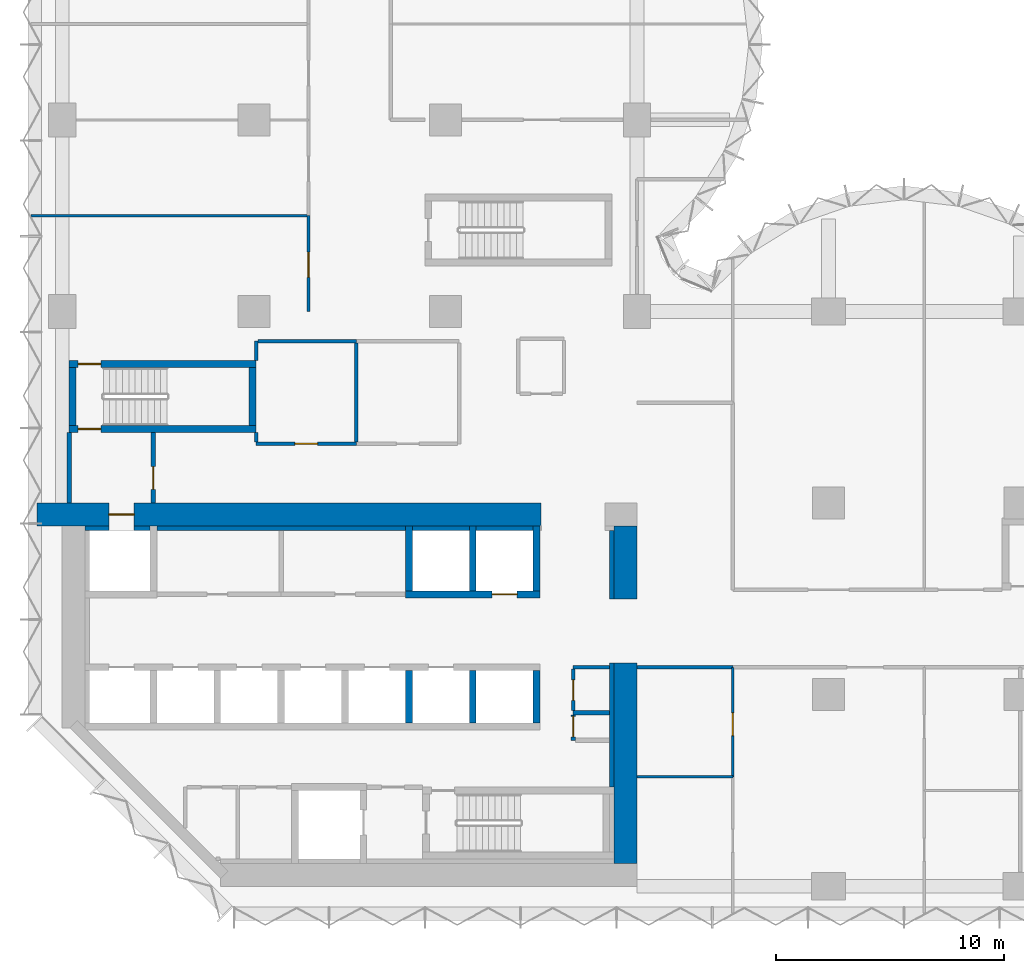
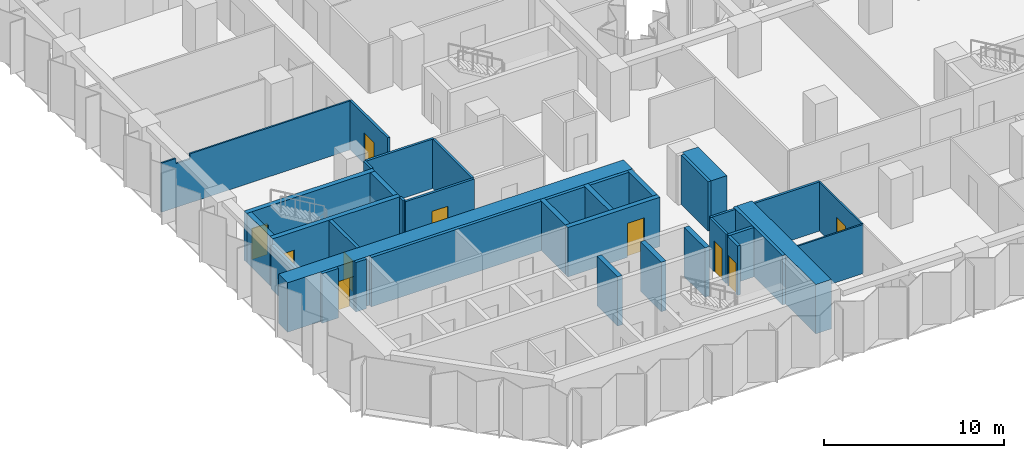
# One storey, part 8 of 15: 37 walls, 10 doors, 10 openings.
"""IFC4 building model written with IfcOpenShell, lengths in metres."""

from ifc_helpers import new_model, si_unit, direction, frame, frame_2d, origin, place, context, subcontext, project, spatial, polyline, rectangle, outline, extrude, material, layer, layer_set, type_object, element, fill, save


model = new_model("IFC4")

# Units and contexts
model_context = context("Model", 3, precision=1e-05, world=origin(), true_north=direction((0.0, 1.0)))
body_context = subcontext(model_context, "Body", "Model", "MODEL_VIEW")
ifc_project = project(units=[si_unit("LENGTHUNIT", "METRE"), si_unit("AREAUNIT", "SQUARE_METRE"), si_unit("VOLUMEUNIT", "CUBIC_METRE"), si_unit("PLANEANGLEUNIT", "RADIAN"), si_unit("MASSUNIT", "GRAM", prefix="KILO")], contexts=[model_context])

# Site, building, storey
site_placement = place(None, origin())
site = spatial("IfcSite", under=ifc_project, at=site_placement, CompositionType="ELEMENT")
building_placement = place(site_placement, origin())
building = spatial("IfcBuilding", under=site, at=building_placement, Name="Brevane Broadcast Tower", CompositionType="ELEMENT")
storey_placement = place(building_placement, frame((0.0, 0.0, 47.300048828125)))
storey = spatial("IfcBuildingStorey", under=building, at=storey_placement, Name="L09", CompositionType="ELEMENT", Elevation=47.300048828125)

# Walls
ifc_material_1 = material(Name="Concrete C32/40", Category="concrete")
ifc_layer_1 = layer(ifc_material_1, 0.199951171875)
ifc_layer_set_1 = layer_set([ifc_layer_1], Name="Core chase wall 200 mm")
wall_type_1 = type_object("IfcWallType", Name="Core chase wall 200 mm", PredefinedType="PARTITIONING", material=ifc_layer_set_1)
wall_1_placement = place(storey_placement, frame((24.10009765625, 12.60009765625, 0.0), z_axis=(0.0, 0.0, 1.0), x_axis=(0.0, 1.0, 0.0)))
element("IfcWall", 1, at=wall_1_placement, inside=storey, type_object=wall_type_1, Name="L09 chase wall LE2", PredefinedType="PARTITIONING", context=body_context, shape_type="SweptSolid", body=[
    extrude(rectangle(XDim=3.0, YDim=0.199951171875, at=frame_2d((1.5, 0.0))), origin(), (0.0, 0.0, 1.0), 3.349853515625),
])
wall_2_placement = place(storey_placement, frame((1.0, 15.699951171875, 0.0), z_axis=(0.0, 0.0, 1.0), x_axis=(1.0, 0.0, 0.0)))
element("IfcWall", 2, at=wall_2_placement, inside=storey, type_object=wall_type_1, Name="L09 chase wall LN0", PredefinedType="PARTITIONING", context=body_context, shape_type="SweptSolid", body=[
    extrude(rectangle(XDim=1.050048828125, YDim=0.199951171875, at=frame_2d((0.52490234375, 0.0))), origin(), (0.0, 0.0, 1.0), 3.349853515625),
])
wall_3_placement = place(storey_placement, frame((3.14990234375, 15.699951171875, 0.0), z_axis=(0.0, 0.0, 1.0), x_axis=(1.0, 0.0, 0.0)))
element("IfcWall", 3, at=wall_3_placement, inside=storey, type_object=wall_type_1, Name="L09 chase wall LN1-1", PredefinedType="PARTITIONING", context=body_context, shape_type="SweptSolid", body=[
    extrude(rectangle(XDim=0.7001953125, YDim=0.199951171875, at=frame_2d((0.35009765625, 0.0))), origin(), (0.0, 0.0, 1.0), 3.349853515625),
])
wall_4_placement = place(storey_placement, frame((4.14990234375, 15.699951171875, 0.0), z_axis=(0.0, 0.0, 1.0), x_axis=(1.0, 0.0, 0.0)))
element("IfcWall", 4, at=wall_4_placement, inside=storey, type_object=wall_type_1, Name="L09 chase wall LN1-2-1", PredefinedType="PARTITIONING", context=body_context, shape_type="SweptSolid", body=[
    extrude(rectangle(XDim=10.900146484375, YDim=0.199951171875, at=frame_2d((5.4501953125, 0.0))), origin(), (0.0, 0.0, 1.0), 3.349853515625),
])
for number, where, z_axis, x_axis, name in (
    (5, (15.35009765625, 15.699951171875, 0.0), (0.0, 0.0, 1.0), (1.0, 0.0, 0.0), "L09 chase wall LN1-2-2-1"),
    (6, (18.14990234375, 15.699951171875, 0.0), (0.0, 0.0, 1.0), (1.0, 0.0, 0.0), "L09 chase wall LN1-2-2-2-1"),
):
    element("IfcWall", number, at=place(storey_placement, frame(where, z_axis=z_axis, x_axis=x_axis)), inside=storey, type_object=wall_type_1, Name=name, PredefinedType="PARTITIONING", context=body_context, shape_type="SweptSolid", body=[
        extrude(rectangle(XDim=2.5, YDim=0.199951171875, at=frame_2d((1.25, 0.0))), origin(), (0.0, 0.0, 1.0), 3.349853515625),
    ])
wall_5_placement = place(storey_placement, frame((24.10009765625, 4.35009765625, 0.0), z_axis=(0.0, 0.0, 1.0), x_axis=(0.0, 1.0, 0.0)))
element("IfcWall", 7, at=wall_5_placement, inside=storey, type_object=wall_type_1, Name="L09 chase wall LE1-2-2", PredefinedType="PARTITIONING", context=body_context, shape_type="SweptSolid", body=[
    extrude(rectangle(XDim=5.449951171875, YDim=0.199951171875, at=frame_2d((2.72509765625, 0.0))), origin(), (0.0, 0.0, 1.0), 3.349853515625),
])

# Wall, opening, door
ifc_material_2 = material(Name="Gypsum board on steel studs", Category="steel")
ifc_layer_2 = layer(ifc_material_2, 0.14990234375)
ifc_layer_set_2 = layer_set([ifc_layer_2], Name="Core fire partition 150 mm")
wall_type_2 = type_object("IfcWallType", Name="Core fire partition 150 mm", PredefinedType="PARTITIONING", material=ifc_layer_set_2)
wall_6_placement = place(storey_placement, frame((12.89990234375, 19.39990234375, 0.0), z_axis=(0.0, 0.0, 1.0), x_axis=(-1.0, 0.0, 0.0)))
wall_6 = element("IfcWall", 8, at=wall_6_placement, inside=storey, type_object=wall_type_2, Name="L09 partition wall P15", PredefinedType="PARTITIONING", context=body_context, shape_type="SweptSolid", body=[
    extrude(rectangle(XDim=4.39990234375, YDim=0.14990234375, at=frame_2d((2.199951171875, 0.0))), origin(), (0.0, 0.0, 1.0), 3.349853515625),
])
opening_1_placement = place(wall_6_placement, frame((1.699951171875, 0.0, 0.0)))
opening_1 = element("IfcOpeningElement", 9, at=opening_1_placement, cuts=wall_6, Name="Opening L09-K25", PredefinedType="OPENING", context=body_context, shape_type="SweptSolid", body=[
    extrude(rectangle(XDim=1.0, YDim=2.10009765625, at=frame_2d((0.5, 1.050048828125))), frame((0.0, 0.0849609375, 0.0), z_axis=(0.0, -1.0, 0.0), x_axis=(1.0, 0.0, 0.0)), (0.0, 0.0, 1.0), 0.169921875),
])
ifc_material_3 = material(Name="Steel", Category="steel")
door_type_1 = type_object("IfcDoorType", Name="Service room door 1000 x 2100", OperationType="SINGLE_SWING_LEFT", PredefinedType="DOOR", material=ifc_material_3)
door_1_placement = place(opening_1_placement, origin())
door_1 = element("IfcDoor", 10, at=door_1_placement, inside=storey, type_object=door_type_1, Name="Door L09-K25", OperationType="SINGLE_SWING_RIGHT", OverallHeight=2.10009765625, OverallWidth=1.0, PredefinedType="DOOR", context=body_context, shape_type="SweptSolid", body=[
    extrude(rectangle(XDim=1.0, YDim=2.10009765625, at=frame_2d((0.5, 1.050048828125))), frame((0.0, 0.02490234375, 0.0), z_axis=(0.0, -1.0, 0.0), x_axis=(1.0, 0.0, 0.0)), (0.0, 0.0, 1.0), 0.050048828125),
])
fill(opening_1, door_1)

# Walls
wall_7_placement = place(storey_placement, frame((8.5, 19.47509765625, 0.0), z_axis=(0.0, 0.0, 1.0), x_axis=(0.0, 1.0, 0.0)))
element("IfcWall", 11, at=wall_7_placement, inside=storey, type_object=wall_type_2, Name="L09 partition wall P16", PredefinedType="PARTITIONING", context=body_context, shape_type="SweptSolid", body=[
    extrude(rectangle(XDim=0.412841796875, YDim=0.14990234375, at=frame_2d((0.20654296875, 0.0))), origin(), (0.0, 0.0, 1.0), 3.349853515625),
])
wall_8_placement = place(storey_placement, frame((8.5, 23.06201171875, 0.0), z_axis=(0.0, 0.0, 1.0), x_axis=(0.0, 1.0, 0.0)))
element("IfcWall", 12, at=wall_8_placement, inside=storey, type_object=wall_type_2, Name="L09 partition wall P17", PredefinedType="PARTITIONING", context=body_context, shape_type="SweptSolid", body=[
    extrude(rectangle(XDim=0.837890625, YDim=0.14990234375, at=frame_2d((0.4189453125, 0.0))), origin(), (0.0, 0.0, 1.0), 3.349853515625),
])
wall_9_placement = place(storey_placement, frame((8.574951171875, 23.89990234375, 0.0), z_axis=(0.0, 0.0, 1.0), x_axis=(1.0, 0.0, 0.0)))
element("IfcWall", 13, at=wall_9_placement, inside=storey, type_object=wall_type_2, Name="L09 partition wall P18", PredefinedType="PARTITIONING", context=body_context, shape_type="SweptSolid", body=[
    extrude(rectangle(XDim=4.324951171875, YDim=0.14990234375, at=frame_2d((2.16259765625, 0.0))), origin(), (0.0, 0.0, 1.0), 3.349853515625),
])
wall_10_placement = place(storey_placement, frame((12.89990234375, 23.824951171875, 0.0), z_axis=(0.0, 0.0, 1.0), x_axis=(0.0, -1.0, 0.0)))
element("IfcWall", 14, at=wall_10_placement, inside=storey, type_object=wall_type_2, Name="L09 partition wall P22", PredefinedType="PARTITIONING", context=body_context, shape_type="SweptSolid", body=[
    extrude(rectangle(XDim=4.349853515625, YDim=0.14990234375, at=frame_2d((2.1748046875, 0.0))), origin(), (0.0, 0.0, 1.0), 3.349853515625),
])
wall_11_placement = place(storey_placement, frame((23.988037109375, 9.60009765625, 0.0), z_axis=(0.0, 0.0, 1.0), x_axis=(-1.0, 0.0, 0.0)))
element("IfcWall", 15, at=wall_11_placement, inside=storey, type_object=wall_type_2, Name="L09 partition wall P23", PredefinedType="PARTITIONING", context=body_context, shape_type="SweptSolid", body=[
    extrude(rectangle(XDim=1.588134765625, YDim=0.14990234375, at=frame_2d((0.7939453125, 0.0))), origin(), (0.0, 0.0, 1.0), 3.349853515625),
])

# Wall, opening, door
wall_12_placement = place(storey_placement, frame((22.39990234375, 9.52490234375, 0.0), z_axis=(0.0, 0.0, 1.0), x_axis=(0.0, -1.0, 0.0)))
wall_12 = element("IfcWall", 16, at=wall_12_placement, inside=storey, type_object=wall_type_2, Name="L09 partition wall P24", PredefinedType="PARTITIONING", context=body_context, shape_type="SweptSolid", body=[
    extrude(rectangle(XDim=1.824951171875, YDim=0.14990234375, at=frame_2d((0.91259765625, 0.0))), origin(), (0.0, 0.0, 1.0), 3.349853515625),
])
opening_2_placement = place(wall_12_placement, frame((0.47509765625, 0.0, 0.0)))
opening_2 = element("IfcOpeningElement", 17, at=opening_2_placement, cuts=wall_12, Name="Opening L09-K20", PredefinedType="OPENING", context=body_context, shape_type="SweptSolid", body=[
    extrude(rectangle(XDim=0.89990234375, YDim=2.10009765625, at=frame_2d((0.449951171875, 1.050048828125))), frame((0.0, 0.0849609375, 0.0), z_axis=(0.0, -1.0, 0.0), x_axis=(1.0, 0.0, 0.0)), (0.0, 0.0, 1.0), 0.169921875),
])
door_type_2 = type_object("IfcDoorType", Name="Service room door 900 x 2100", OperationType="SINGLE_SWING_LEFT", PredefinedType="DOOR", material=ifc_material_3)
door_2_placement = place(opening_2_placement, origin())
door_2 = element("IfcDoor", 18, at=door_2_placement, inside=storey, type_object=door_type_2, Name="Door L09-K20", OperationType="SINGLE_SWING_LEFT", OverallHeight=2.10009765625, OverallWidth=0.89990234375, PredefinedType="DOOR", context=body_context, shape_type="SweptSolid", body=[
    extrude(rectangle(XDim=0.89990234375, YDim=2.10009765625, at=frame_2d((0.449951171875, 1.050048828125))), frame((0.0, 0.02490234375, 0.0), z_axis=(0.0, -1.0, 0.0), x_axis=(1.0, 0.0, 0.0)), (0.0, 0.0, 1.0), 0.050048828125),
])
fill(opening_2, door_2)

# Wall
ifc_layer_3 = layer(ifc_material_2, 0.199951171875)
ifc_layer_set_3 = layer_set([ifc_layer_3], Name="Core fire partition 200 mm")
wall_type_3 = type_object("IfcWallType", Name="Core fire partition 200 mm", PredefinedType="PARTITIONING", material=ifc_layer_set_3)
wall_13_placement = place(storey_placement, frame((0.300048828125, 16.81201171875, 0.0), z_axis=(0.0, 0.0, 1.0), x_axis=(0.0, 1.0, 0.0)))
element("IfcWall", 19, at=wall_13_placement, inside=storey, type_object=wall_type_3, Name="L09 partition wall P01", PredefinedType="PARTITIONING", context=body_context, shape_type="SweptSolid", body=[
    extrude(rectangle(XDim=3.075927734375, YDim=0.199951171875, at=frame_2d((1.5380859375, 0.0))), origin(), (0.0, 0.0, 1.0), 2.97998046875),
])

# Wall, opening, door
wall_14_placement = place(storey_placement, frame((4.0, 19.887939453125, 0.0), z_axis=(0.0, 0.0, 1.0), x_axis=(0.0, -1.0, 0.0)))
wall_14 = element("IfcWall", 20, at=wall_14_placement, inside=storey, type_object=wall_type_3, Name="L09 partition wall P02", PredefinedType="PARTITIONING", context=body_context, shape_type="SweptSolid", body=[
    extrude(rectangle(XDim=3.075927734375, YDim=0.199951171875, at=frame_2d((1.5380859375, 0.0))), origin(), (0.0, 0.0, 1.0), 3.349853515625),
])
opening_3_placement = place(wall_14_placement, frame((1.488037109375, 0.0, 0.0)))
opening_3 = element("IfcOpeningElement", 21, at=opening_3_placement, cuts=wall_14, Name="Opening L09-K23", PredefinedType="OPENING", context=body_context, shape_type="SweptSolid", body=[
    extrude(rectangle(XDim=1.0, YDim=2.10009765625, at=frame_2d((0.5, 1.050048828125))), frame((0.0, 0.10986328125, 0.0), z_axis=(0.0, -1.0, 0.0), x_axis=(1.0, 0.0, 0.0)), (0.0, 0.0, 1.0), 0.219970703125),
])
door_type_3 = type_object("IfcDoorType", Name="Stair door 1000 x 2100", OperationType="SINGLE_SWING_LEFT", PredefinedType="DOOR", material=ifc_material_3)
door_3_placement = place(opening_3_placement, origin())
door_3 = element("IfcDoor", 22, at=door_3_placement, inside=storey, type_object=door_type_3, Name="Door L09-K23", OperationType="SINGLE_SWING_RIGHT", OverallHeight=2.10009765625, OverallWidth=1.0, PredefinedType="DOOR", context=body_context, shape_type="SweptSolid", body=[
    extrude(rectangle(XDim=1.0, YDim=2.10009765625, at=frame_2d((0.5, 1.050048828125))), frame((0.0, 0.02490234375, 0.0), z_axis=(0.0, -1.0, 0.0), x_axis=(1.0, 0.0, 0.0)), (0.0, 0.0, 1.0), 0.050048828125),
])
fill(opening_3, door_3)

# Wall
wall_15_placement = place(storey_placement, frame((23.988037109375, 7.60009765625, 0.0), z_axis=(0.0, 0.0, 1.0), x_axis=(-1.0, 0.0, 0.0)))
element("IfcWall", 23, at=wall_15_placement, inside=storey, type_object=wall_type_3, Name="L09 partition wall P07", PredefinedType="PARTITIONING", context=body_context, shape_type="SweptSolid", body=[
    extrude(rectangle(XDim=1.588134765625, YDim=0.199951171875, at=frame_2d((0.7939453125, 0.0))), origin(), (0.0, 0.0, 1.0), 3.349853515625),
])

# Wall, opening, door
wall_16_placement = place(storey_placement, frame((22.39990234375, 7.5, 0.0), z_axis=(0.0, 0.0, 1.0), x_axis=(0.0, -1.0, 0.0)))
wall_16 = element("IfcWall", 24, at=wall_16_placement, inside=storey, type_object=wall_type_3, Name="L09 partition wall P08", PredefinedType="PARTITIONING", context=body_context, shape_type="SweptSolid", body=[
    extrude(rectangle(XDim=1.10009765625, YDim=0.199951171875, at=frame_2d((0.550048828125, 0.0))), origin(), (0.0, 0.0, 1.0), 3.349853515625),
])
opening_4_placement = place(wall_16_placement, frame((0.050048828125, 0.0, 0.0)))
opening_4 = element("IfcOpeningElement", 25, at=opening_4_placement, cuts=wall_16, Name="Opening L09-K19", PredefinedType="OPENING", context=body_context, shape_type="SweptSolid", body=[
    extrude(rectangle(XDim=0.89990234375, YDim=2.10009765625, at=frame_2d((0.449951171875, 1.050048828125))), frame((0.0, 0.10986328125, 0.0), z_axis=(0.0, -1.0, 0.0), x_axis=(1.0, 0.0, 0.0)), (0.0, 0.0, 1.0), 0.219970703125),
])
door_4_placement = place(opening_4_placement, origin())
door_4 = element("IfcDoor", 26, at=door_4_placement, inside=storey, type_object=door_type_2, Name="Door L09-K19", OperationType="SINGLE_SWING_RIGHT", OverallHeight=2.10009765625, OverallWidth=0.89990234375, PredefinedType="DOOR", context=body_context, shape_type="SweptSolid", body=[
    extrude(rectangle(XDim=0.89990234375, YDim=2.10009765625, at=frame_2d((0.449951171875, 1.050048828125))), frame((0.0, 0.02490234375, 0.0), z_axis=(0.0, -1.0, 0.0), x_axis=(1.0, 0.0, 0.0)), (0.0, 0.0, 1.0), 0.050048828125),
])
fill(opening_4, door_4)

ifc_material_4 = material(Name="Concrete C80/95", Category="concrete")
ifc_layer_4 = layer(ifc_material_4, 1.0)
ifc_layer_set_4 = layer_set([ifc_layer_4], Name="Core wall 1000 mm C80/95")
wall_type_4 = type_object("IfcWallType", Name="Core wall 1000 mm C80/95", PredefinedType="SHEAR", material=ifc_layer_set_4)
wall_17_placement = place(storey_placement, frame((-1.10009765625, 16.300048828125, 0.0), z_axis=(0.0, 0.0, 1.0), x_axis=(1.0, 0.0, 0.0)))
wall_17 = element("IfcWall", 27, at=wall_17_placement, inside=storey, type_object=wall_type_4, Name="L09 outer wall WN1", PredefinedType="SHEAR", context=body_context, shape_type="SweptSolid", body=[
    extrude(rectangle(XDim=22.10009765625, YDim=1.0, at=frame_2d((11.050048828125, 0.0))), origin(), (0.0, 0.0, 1.0), 3.349853515625),
])
opening_5_placement = place(wall_17_placement, frame((3.14990234375, 0.0, 0.0)))
opening_5 = element("IfcOpeningElement", 28, at=opening_5_placement, cuts=wall_17, Name="Opening LD", PredefinedType="OPENING", context=body_context, shape_type="SweptSolid", body=[
    extrude(rectangle(XDim=1.10009765625, YDim=2.300048828125, at=frame_2d((0.550048828125, 1.14990234375))), frame((0.0, 0.510009765625, 0.0), z_axis=(0.0, -1.0, 0.0), x_axis=(1.0, 0.0, 0.0)), (0.0, 0.0, 1.0), 1.02001953125),
])
ifc_material_5 = material(Name="Stainless steel", Category="steel")
door_type_4 = type_object("IfcDoorType", Name="Lift landing door", OperationType="SLIDING_TO_LEFT", PredefinedType="DOOR", material=ifc_material_5)
door_5_placement = place(opening_5_placement, origin())
door_5 = element("IfcDoor", 29, at=door_5_placement, inside=storey, type_object=door_type_4, Name="Landing door FF1 L09", OperationType="SLIDING_TO_LEFT", OverallHeight=2.300048828125, OverallWidth=1.10009765625, PredefinedType="DOOR", context=body_context, shape_type="SweptSolid", body=[
    extrude(rectangle(XDim=1.10009765625, YDim=2.300048828125, at=frame_2d((0.550048828125, 1.14990234375))), frame((0.0, 0.02490234375, 0.0), z_axis=(0.0, -1.0, 0.0), x_axis=(1.0, 0.0, 0.0)), (0.0, 0.0, 1.0), 0.050048828125),
])
fill(opening_5, door_5)

# Walls
wall_18_placement = place(storey_placement, frame((24.699951171875, 1.0, 0.0), z_axis=(0.0, 0.0, 1.0), x_axis=(0.0, 1.0, 0.0)))
element("IfcWall", 30, at=wall_18_placement, inside=storey, type_object=wall_type_4, Name="L09 outer wall WE1", PredefinedType="SHEAR", context=body_context, shape_type="SweptSolid", body=[
    extrude(rectangle(XDim=8.800048828125, YDim=1.0, at=frame_2d((4.39990234375, 0.0))), origin(), (0.0, 0.0, 1.0), 3.349853515625),
])
wall_19_placement = place(storey_placement, frame((24.699951171875, 12.60009765625, 0.0), z_axis=(0.0, 0.0, 1.0), x_axis=(0.0, 1.0, 0.0)))
element("IfcWall", 31, at=wall_19_placement, inside=storey, type_object=wall_type_4, Name="L09 outer wall WE2", PredefinedType="SHEAR", context=body_context, shape_type="SweptSolid", body=[
    extrude(rectangle(XDim=3.199951171875, YDim=1.0, at=frame_2d((1.60009765625, 0.0))), origin(), (0.0, 0.0, 1.0), 3.349853515625),
])
ifc_layer_5 = layer(ifc_material_4, 0.300048828125)
ifc_layer_set_5 = layer_set([ifc_layer_5], Name="Core wall 300 mm C80/95")
wall_type_5 = type_object("IfcWallType", Name="Core wall 300 mm C80/95", PredefinedType="SHEAR", material=ifc_layer_set_5)
for number, where, z_axis, x_axis, name in (
    (32, (15.199951171875, 7.14990234375, 0.0), (0.0, 0.0, 1.0), (0.0, 1.0, 0.0), "L09 shaft wall SH-S-P152"),
    (33, (18.0, 7.14990234375, 0.0), (0.0, 0.0, 1.0), (0.0, 1.0, 0.0), "L09 shaft wall SH-S-P180"),
    (34, (20.800048828125, 7.14990234375, 0.0), (0.0, 0.0, 1.0), (0.0, 1.0, 0.0), "L09 shaft wall SH-S-P208"),
):
    element("IfcWall", number, at=place(storey_placement, frame(where, z_axis=z_axis, x_axis=x_axis)), inside=storey, type_object=wall_type_5, Name=name, PredefinedType="SHEAR", context=body_context, shape_type="SweptSolid", body=[
        extrude(rectangle(XDim=2.300048828125, YDim=0.300048828125, at=frame_2d((1.14990234375, 0.0))), origin(), (0.0, 0.0, 1.0), 3.349853515625),
    ])

# Wall, opening, door
wall_20_placement = place(storey_placement, frame((15.050048828125, 12.800048828125, 0.0), z_axis=(0.0, 0.0, 1.0), x_axis=(1.0, 0.0, 0.0)))
wall_20 = element("IfcWall", 35, at=wall_20_placement, inside=storey, type_object=wall_type_5, Name="L09 shaft wall SH-N152-front", PredefinedType="SHEAR", context=body_context, shape_type="SweptSolid", body=[
    extrude(rectangle(XDim=5.89990234375, YDim=0.300048828125, at=frame_2d((2.949951171875, 0.0))), origin(), (0.0, 0.0, 1.0), 3.349853515625),
])
opening_6_placement = place(wall_20_placement, frame((3.800048828125, 0.0, 0.0)))
opening_6 = element("IfcOpeningElement", 36, at=opening_6_placement, cuts=wall_20, Name="Opening LD", PredefinedType="OPENING", context=body_context, shape_type="SweptSolid", body=[
    extrude(rectangle(XDim=1.10009765625, YDim=2.300048828125, at=frame_2d((0.550048828125, 1.14990234375))), frame((0.0, 0.159912109375, 0.0), z_axis=(0.0, -1.0, 0.0), x_axis=(1.0, 0.0, 0.0)), (0.0, 0.0, 1.0), 0.320068359375),
])
door_6_placement = place(opening_6_placement, origin())
door_6 = element("IfcDoor", 37, at=door_6_placement, inside=storey, type_object=door_type_4, Name="Landing door SL1 L09", OperationType="SLIDING_TO_LEFT", OverallHeight=2.300048828125, OverallWidth=1.10009765625, PredefinedType="DOOR", context=body_context, shape_type="SweptSolid", body=[
    extrude(rectangle(XDim=1.10009765625, YDim=2.300048828125, at=frame_2d((0.550048828125, 1.14990234375))), frame((0.0, 0.02490234375, 0.0), z_axis=(0.0, -1.0, 0.0), x_axis=(1.0, 0.0, 0.0)), (0.0, 0.0, 1.0), 0.050048828125),
])
fill(opening_6, door_6)

# Walls
for number, where, z_axis, x_axis, name in (
    (38, (15.199951171875, 12.949951171875, 0.0), (0.0, 0.0, 1.0), (0.0, 1.0, 0.0), "L09 shaft wall SH-N-P152"),
    (39, (18.0, 12.949951171875, 0.0), (0.0, 0.0, 1.0), (0.0, 1.0, 0.0), "L09 shaft wall SH-N-P180"),
    (40, (20.800048828125, 12.949951171875, 0.0), (0.0, 0.0, 1.0), (0.0, 1.0, 0.0), "L09 shaft wall SH-N-P208"),
):
    element("IfcWall", number, at=place(storey_placement, frame(where, z_axis=z_axis, x_axis=x_axis)), inside=storey, type_object=wall_type_5, Name=name, PredefinedType="SHEAR", context=body_context, shape_type="SweptSolid", body=[
        extrude(rectangle(XDim=2.85009765625, YDim=0.300048828125, at=frame_2d((1.425048828125, 0.0))), origin(), (0.0, 0.0, 1.0), 3.349853515625),
    ])

# Wall, opening, door
wall_21_placement = place(storey_placement, frame((8.5, 20.050048828125, 0.0), z_axis=(0.0, 0.0, 1.0), x_axis=(-1.0, 0.0, 0.0)))
wall_21 = element("IfcWall", 41, at=wall_21_placement, inside=storey, type_object=wall_type_5, Name="L09 stair wall ST-1-S", PredefinedType="SHEAR", context=body_context, shape_type="SweptSolid", body=[
    extrude(rectangle(XDim=8.199951171875, YDim=0.300048828125, at=frame_2d((4.10009765625, 0.0))), origin(), (0.0, 0.0, 1.0), 3.349853515625),
])
opening_7_placement = place(wall_21_placement, frame((6.800048828125, 0.0, 0.0)))
opening_7 = element("IfcOpeningElement", 42, at=opening_7_placement, cuts=wall_21, Name="Opening L09-K10", PredefinedType="OPENING", context=body_context, shape_type="SweptSolid", body=[
    extrude(rectangle(XDim=1.0, YDim=2.10009765625, at=frame_2d((0.5, 1.050048828125))), frame((0.0, 0.159912109375, 0.0), z_axis=(0.0, -1.0, 0.0), x_axis=(1.0, 0.0, 0.0)), (0.0, 0.0, 1.0), 0.320068359375),
])
door_7_placement = place(opening_7_placement, origin())
door_7 = element("IfcDoor", 43, at=door_7_placement, inside=storey, type_object=door_type_3, Name="Door L09-K10", OperationType="SINGLE_SWING_LEFT", OverallHeight=2.10009765625, OverallWidth=1.0, PredefinedType="DOOR", context=body_context, shape_type="SweptSolid", body=[
    extrude(rectangle(XDim=1.0, YDim=2.10009765625, at=frame_2d((0.5, 1.050048828125))), frame((0.0, 0.02490234375, 0.0), z_axis=(0.0, -1.0, 0.0), x_axis=(1.0, 0.0, 0.0)), (0.0, 0.0, 1.0), 0.050048828125),
])
fill(opening_7, door_7)

wall_22_placement = place(storey_placement, frame((0.300048828125, 22.89990234375, 0.0), z_axis=(0.0, 0.0, 1.0), x_axis=(1.0, 0.0, 0.0)))
wall_22 = element("IfcWall", 44, at=wall_22_placement, inside=storey, type_object=wall_type_5, Name="L09 stair wall ST-1-N", PredefinedType="SHEAR", context=body_context, shape_type="SweptSolid", body=[
    extrude(rectangle(XDim=8.199951171875, YDim=0.300048828125, at=frame_2d((4.10009765625, 0.0))), origin(), (0.0, 0.0, 1.0), 3.349853515625),
])
opening_8_placement = place(wall_22_placement, frame((0.39990234375, 0.0, 0.0)))
opening_8 = element("IfcOpeningElement", 45, at=opening_8_placement, cuts=wall_22, Name="Opening L09-K11", PredefinedType="OPENING", context=body_context, shape_type="SweptSolid", body=[
    extrude(rectangle(XDim=1.0, YDim=2.10009765625, at=frame_2d((0.5, 1.050048828125))), frame((0.0, 0.159912109375, 0.0), z_axis=(0.0, -1.0, 0.0), x_axis=(1.0, 0.0, 0.0)), (0.0, 0.0, 1.0), 0.320068359375),
])
door_8_placement = place(opening_8_placement, origin())
door_8 = element("IfcDoor", 46, at=door_8_placement, inside=storey, type_object=door_type_3, Name="Door L09-K11", OperationType="SINGLE_SWING_RIGHT", OverallHeight=2.10009765625, OverallWidth=1.0, PredefinedType="DOOR", context=body_context, shape_type="SweptSolid", body=[
    extrude(rectangle(XDim=1.0, YDim=2.10009765625, at=frame_2d((0.5, 1.050048828125))), frame((0.0, 0.02490234375, 0.0), z_axis=(0.0, -1.0, 0.0), x_axis=(1.0, 0.0, 0.0)), (0.0, 0.0, 1.0), 0.050048828125),
])
fill(opening_8, door_8)

# Walls
for number, where, z_axis, x_axis, name in (
    (47, (0.449951171875, 20.199951171875, 0.0), (0.0, 0.0, 1.0), (0.0, 1.0, 0.0), "L09 stair wall ST-1-W"),
    (48, (8.35009765625, 20.199951171875, 0.0), (0.0, 0.0, 1.0), (0.0, 1.0, 0.0), "L09 stair wall ST-1-E"),
):
    element("IfcWall", number, at=place(storey_placement, frame(where, z_axis=z_axis, x_axis=x_axis)), inside=storey, type_object=wall_type_5, Name=name, PredefinedType="SHEAR", context=body_context, shape_type="SweptSolid", body=[
        extrude(rectangle(XDim=2.550048828125, YDim=0.300048828125, at=frame_2d((1.27490234375, 0.0))), origin(), (0.0, 0.0, 1.0), 3.349853515625),
    ])

# Wall, opening, door
ifc_material_6 = material(Name="Gypsum board partition")
ifc_layer_6 = layer(ifc_material_6, 0.10009765625)
ifc_layer_set_6 = layer_set([ifc_layer_6], Name="PARTITION 100 STUD")
wall_type_6 = type_object("IfcWallType", Name="PARTITION 100 STUD", PredefinedType="PARTITIONING", material=ifc_layer_set_6)
wall_23_placement = place(storey_placement, frame((29.39990234375, 4.800048828125, 0.0), z_axis=(0.0, 0.0, 1.0), x_axis=(0.0, 1.0, 0.0)))
wall_23 = element("IfcWall", 49, at=wall_23_placement, inside=storey, type_object=wall_type_6, Name="Partition G02-020", PredefinedType="PARTITIONING", context=body_context, shape_type="SweptSolid", body=[
    extrude(rectangle(XDim=4.800048828125, YDim=0.10009765625, at=frame_2d((2.39990234375, 0.0))), origin(), (0.0, 0.0, 1.0), 3.329833984375),
])
opening_9_placement = place(wall_23_placement, frame((1.800048828125, 0.0, 0.0)))
opening_9 = element("IfcOpeningElement", 50, at=opening_9_placement, cuts=wall_23, Name="Opening D08-006", PredefinedType="OPENING", context=body_context, shape_type="SweptSolid", body=[
    extrude(rectangle(XDim=1.0, YDim=2.10009765625, at=frame_2d((0.5, 1.050048828125))), frame((0.0, 0.06005859375, 0.0), z_axis=(0.0, -1.0, 0.0), x_axis=(1.0, 0.0, 0.0)), (0.0, 0.0, 1.0), 0.1201171875),
])
ifc_material_7 = material(Name="Timber door leaf", Category="wood")
door_type_5 = type_object("IfcDoorType", Name="DOOR SINGLE 1000 INTERNAL", OperationType="SINGLE_SWING_LEFT", PredefinedType="DOOR", material=ifc_material_7)
door_9_placement = place(opening_9_placement, origin())
door_9 = element("IfcDoor", 51, at=door_9_placement, inside=storey, type_object=door_type_5, Name="Door D08-006", OperationType="SINGLE_SWING_LEFT", OverallHeight=2.10009765625, OverallWidth=1.0, PredefinedType="DOOR", context=body_context, shape_type="SweptSolid", body=[
    extrude(rectangle(XDim=1.0, YDim=2.10009765625, at=frame_2d((0.5, 1.050048828125))), frame((0.0, 0.02490234375, 0.0), z_axis=(0.0, -1.0, 0.0), x_axis=(1.0, 0.0, 0.0)), (0.0, 0.0, 1.0), 0.050048828125),
])
fill(opening_9, door_9)

# Walls
wall_24_placement = place(storey_placement, frame((25.199951171875, 4.800048828125, 0.0), z_axis=(0.0, 0.0, 1.0), x_axis=(1.0, 0.0, 0.0)))
element("IfcWall", 52, at=wall_24_placement, inside=storey, type_object=wall_type_6, Name="Partition G02-025", PredefinedType="PARTITIONING", context=body_context, shape_type="SweptSolid", body=[
    extrude(rectangle(XDim=4.199951171875, YDim=0.10009765625, at=frame_2d((2.10009765625, 0.0))), origin(), (0.0, 0.0, 1.0), 3.329833984375),
])
wall_25_placement = place(storey_placement, frame((-1.364990234375, 29.39990234375, 0.0), z_axis=(0.0, 0.0, 1.0), x_axis=(1.0, 0.0, 0.0)))
element("IfcWall", 53, at=wall_25_placement, inside=storey, type_object=wall_type_6, Name="Partition G02-055", PredefinedType="PARTITIONING", context=body_context, shape_type="SweptSolid", body=[
    extrude(outline(polyline([(0.0, 0.0), (12.1650390625, 0.0), (12.1650390625, 3.329833984375), (1.81494140625, 3.329833984375), (1.81298828125, 2.97998046875), (0.9169921875, 2.97998046875), (0.9150390625, 3.329833984375), (0.264892578125, 3.329833984375), (0.0, 3.329833984375), (0.0, 0.0)])), frame((0.0, 0.050048828125, 0.0), z_axis=(0.0, -1.0, 0.0), x_axis=(1.0, 0.0, 0.0)), (0.0, 0.0, 1.0), 0.10009765625),
])
ifc_layer_7 = layer(ifc_material_6, 0.14990234375)
ifc_layer_set_7 = layer_set([ifc_layer_7], Name="PARTITION 150 EI 60")
wall_type_7 = type_object("IfcWallType", Name="PARTITION 150 EI 60", PredefinedType="PARTITIONING", material=ifc_layer_set_7)
wall_26_placement = place(storey_placement, frame((29.39990234375, 9.60009765625, 0.0), z_axis=(0.0, 0.0, 1.0), x_axis=(-1.0, 0.0, 0.0)))
element("IfcWall", 54, at=wall_26_placement, inside=storey, type_object=wall_type_7, Name="Partition G02-002", PredefinedType="PARTITIONING", context=body_context, shape_type="SweptSolid", body=[
    extrude(rectangle(XDim=4.199951171875, YDim=0.14990234375, at=frame_2d((2.10009765625, 0.0))), origin(), (0.0, 0.0, 1.0), 3.329833984375),
])

# Wall, opening, door
wall_27_placement = place(storey_placement, frame((10.800048828125, 25.199951171875, 0.0), z_axis=(0.0, 0.0, 1.0), x_axis=(0.0, 1.0, 0.0)))
wall_27 = element("IfcWall", 55, at=wall_27_placement, inside=storey, type_object=wall_type_7, Name="Partition G02-035", PredefinedType="PARTITIONING", context=body_context, shape_type="SweptSolid", body=[
    extrude(rectangle(XDim=4.199951171875, YDim=0.14990234375, at=frame_2d((2.10009765625, 0.0))), origin(), (0.0, 0.0, 1.0), 3.329833984375),
])
opening_10_placement = place(wall_27_placement, frame((1.5, 0.0, 0.0)))
opening_10 = element("IfcOpeningElement", 56, at=opening_10_placement, cuts=wall_27, Name="Opening D08-016", PredefinedType="OPENING", context=body_context, shape_type="SweptSolid", body=[
    extrude(rectangle(XDim=1.10009765625, YDim=2.10009765625, at=frame_2d((0.550048828125, 1.050048828125))), frame((0.0, 0.0849609375, 0.0), z_axis=(0.0, -1.0, 0.0), x_axis=(1.0, 0.0, 0.0)), (0.0, 0.0, 1.0), 0.169921875),
])
ifc_material_8 = material(Name="Fire-rated timber door leaf", Category="wood")
door_type_6 = type_object("IfcDoorType", Name="DOOR SINGLE 1100 FD30S", OperationType="SINGLE_SWING_LEFT", PredefinedType="DOOR", material=ifc_material_8)
door_10_placement = place(opening_10_placement, origin())
door_10 = element("IfcDoor", 57, at=door_10_placement, inside=storey, type_object=door_type_6, Name="Door D08-016", OperationType="SINGLE_SWING_LEFT", OverallHeight=2.10009765625, OverallWidth=1.10009765625, PredefinedType="DOOR", context=body_context, shape_type="SweptSolid", body=[
    extrude(rectangle(XDim=1.10009765625, YDim=2.10009765625, at=frame_2d((0.550048828125, 1.050048828125))), frame((0.0, 0.02490234375, 0.0), z_axis=(0.0, -1.0, 0.0), x_axis=(1.0, 0.0, 0.0)), (0.0, 0.0, 1.0), 0.050048828125),
])
fill(opening_10, door_10)

save(model, "model.ifc")
